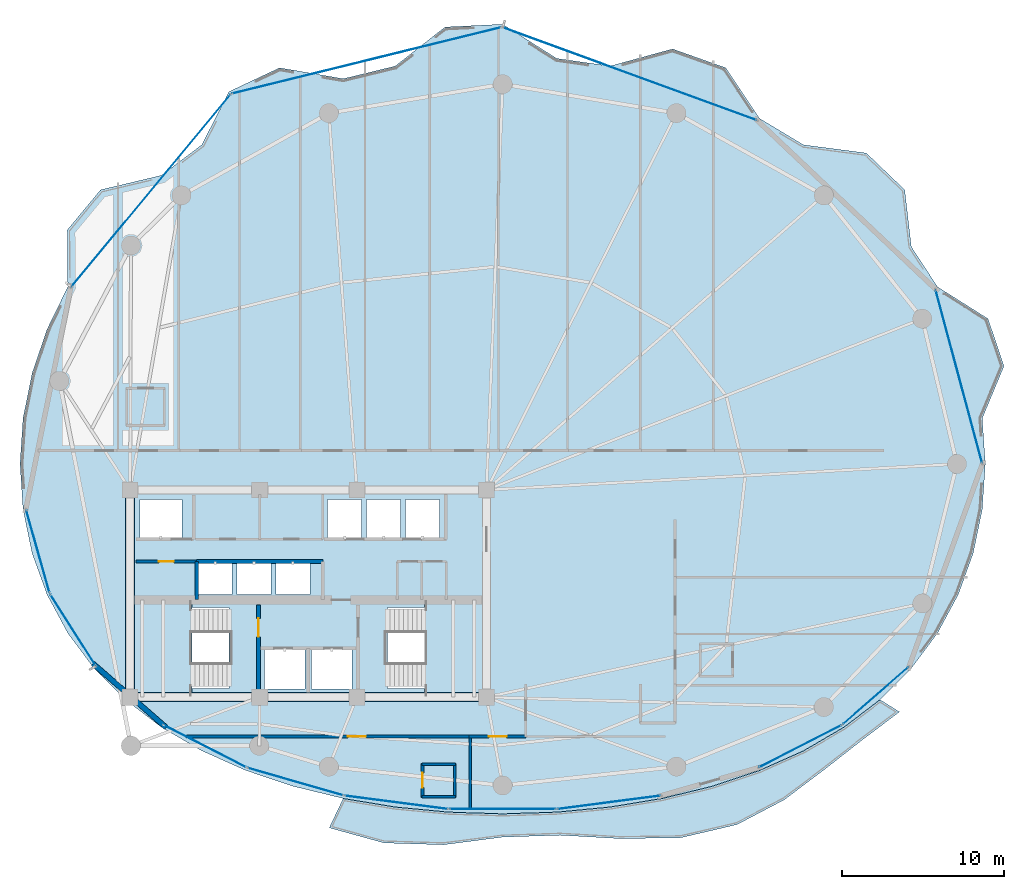
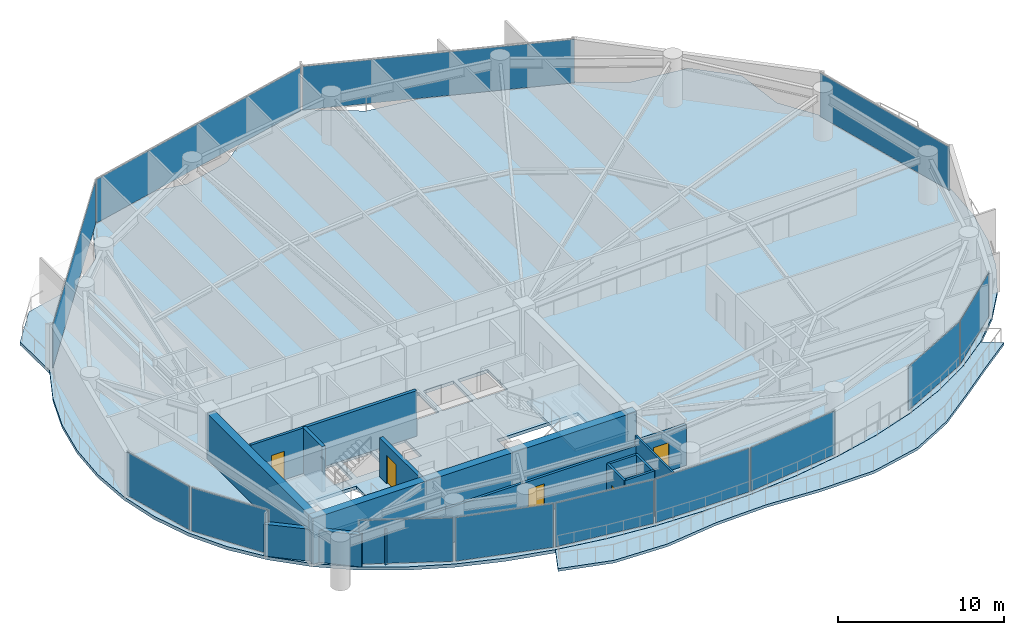
# One storey, part 22 of 28: 14 walls, 13 plates, 5 doors, 4 slabs, 5 openings, 15 elements without a shape of their own.
"""IFC4 building model written with IfcOpenShell, lengths in metres."""

from ifc_helpers import new_model, si_unit, direction, frame, frame_2d, origin, origin_2d, place, context, subcontext, project, spatial, polyline, rectangle, outline, extrude, material, layer, layer_set, type_object, element, fill, aggregate, save


model = new_model("IFC4")

# Units and contexts
model_context = context("Model", 3, precision=1e-05, world=origin(), true_north=direction((0.0, 1.0)))
body_context = subcontext(model_context, "Body", "Model", "MODEL_VIEW")
ifc_project = project(units=[si_unit("LENGTHUNIT", "METRE"), si_unit("AREAUNIT", "SQUARE_METRE"), si_unit("VOLUMEUNIT", "CUBIC_METRE"), si_unit("PLANEANGLEUNIT", "RADIAN"), si_unit("MASSUNIT", "GRAM", prefix="KILO")], contexts=[model_context])

# Site, building, storey
site_placement = place(None, origin())
site = spatial("IfcSite", under=ifc_project, at=site_placement, CompositionType="ELEMENT")
building_placement = place(site_placement, origin())
building = spatial("IfcBuilding", under=site, at=building_placement, Name="Kazevale Care Tower and Concert Hall", CompositionType="ELEMENT")
storey_placement = place(building_placement, frame((0.0, 0.0, 120.60009765625)))
storey = spatial("IfcBuildingStorey", under=building, at=storey_placement, Name="L31", CompositionType="ELEMENT", Elevation=120.60009765625)

# Curtain wall, plate
ifc_material_1 = material(Name="Aluminium 6063-T6 and Low-E Glass", Category="aluminium")
ifc_layer_1 = layer(ifc_material_1, 0.179931640625)
ifc_layer_set_1 = layer_set([ifc_layer_1], Name="Aluminium 6063-T6 and Low-E Glass")
curtain_wall_type_1 = type_object("IfcCurtainWallType", Name="Convex Checkerboard Finned Curtain Wall CW-2", PredefinedType="NOTDEFINED", material=ifc_layer_set_1)
curtain_wall_1_placement = place(storey_placement, origin())
curtain_wall_1 = element("IfcCurtainWall", 1, at=curtain_wall_1_placement, inside=storey, type_object=curtain_wall_type_1, Name="cw:L31:f14", PredefinedType="NOTDEFINED")
ifc_material_2 = material(Name="Low-E Laminated Glass", Category="glass")
ifc_layer_2 = layer(ifc_material_2, 0.028076171875)
ifc_layer_set_2 = layer_set([ifc_layer_2], Name="Low-E Laminated Glass")
plate_type_1 = type_object("IfcPlateType", Name="CW-2 Low-E Glazing Panel 28mm", PredefinedType="CURTAIN_PANEL", material=ifc_layer_set_2)
plate_1_placement = place(storey_placement, frame((23.285888671875, 54.87255859375, 0.074951171875), z_axis=(0.0, 0.0, 1.0), x_axis=(0.637984048061, 0.770049579196, 0.0)))
plate_1 = element("IfcPlate", 2, at=plate_1_placement, type_object=plate_type_1, Name="CW-2 panel 1.1", PredefinedType="CURTAIN_PANEL", context=body_context, shape_type="SweptSolid", body=[
    extrude(rectangle(XDim=15.3701171875, YDim=0.028076171875, at=origin_2d()), origin(), (0.0, 0.0, 1.0), 3.2099609375),
])
aggregate(curtain_wall_1, [plate_1])

curtain_wall_2_placement = place(storey_placement, origin())
curtain_wall_2 = element("IfcCurtainWall", 3, at=curtain_wall_2_placement, inside=storey, type_object=curtain_wall_type_1, Name="cw:L31:f16", PredefinedType="NOTDEFINED")
plate_2_placement = place(storey_placement, frame((52.839599609375, 62.08544921875, 0.074951171875), z_axis=(0.0, 0.0, 1.0), x_axis=(0.939283008641, -0.343143453498, 0.0)))
plate_2 = element("IfcPlate", 4, at=plate_2_placement, type_object=plate_type_1, Name="CW-2 panel 1.1", PredefinedType="CURTAIN_PANEL", context=body_context, shape_type="SweptSolid", body=[
    extrude(rectangle(XDim=16.634765625, YDim=0.028076171875, at=origin_2d()), origin(), (0.0, 0.0, 1.0), 3.2099609375),
])
aggregate(curtain_wall_2, [plate_2])

ifc_layer_3 = layer(ifc_material_1, 0.179931640625)
ifc_layer_set_3 = layer_set([ifc_layer_3], Name="Aluminium 6063-T6 and Low-E Glass")
curtain_wall_type_2 = type_object("IfcCurtainWallType", Name="Convex Recessed Sunroom Curtain Wall CW-3", PredefinedType="NOTDEFINED", material=ifc_layer_set_3)
curtain_wall_3_placement = place(storey_placement, origin())
curtain_wall_3 = element("IfcCurtainWall", 5, at=curtain_wall_3_placement, inside=storey, type_object=curtain_wall_type_2, Name="cw:L31:f15", PredefinedType="NOTDEFINED")
ifc_layer_4 = layer(ifc_material_2, 0.028076171875)
ifc_layer_set_4 = layer_set([ifc_layer_4], Name="Low-E Laminated Glass")
plate_type_2 = type_object("IfcPlateType", Name="CW-3 Low-E Glazing Panel 28mm", PredefinedType="CURTAIN_PANEL", material=ifc_layer_set_4)
plate_3_placement = place(storey_placement, frame((36.595947265625, 62.909423828125, 0.074951171875), z_axis=(0.0, 0.0, 1.0), x_axis=(0.970997657217, 0.239088999495, 0.0)))
plate_3 = element("IfcPlate", 6, at=plate_3_placement, type_object=plate_type_2, Name="CW-3 panel 1.1", PredefinedType="CURTAIN_PANEL", context=body_context, shape_type="SweptSolid", body=[
    extrude(rectangle(XDim=17.061279296875, YDim=0.028076171875, at=origin_2d()), origin(), (0.0, 0.0, 1.0), 3.2099609375),
])
aggregate(curtain_wall_3, [plate_3])

ifc_layer_5 = layer(ifc_material_1, 0.179931640625)
ifc_layer_set_5 = layer_set([ifc_layer_5], Name="Aluminium 6063-T6 and Low-E Glass")
curtain_wall_type_3 = type_object("IfcCurtainWallType", Name="Waist & Upper Residential Curtain Wall CW-4", PredefinedType="NOTDEFINED", material=ifc_layer_set_5)
curtain_wall_4_placement = place(storey_placement, origin())
curtain_wall_4 = element("IfcCurtainWall", 7, at=curtain_wall_4_placement, inside=storey, type_object=curtain_wall_type_3, Name="cw:L31:f11", PredefinedType="NOTDEFINED")
ifc_layer_6 = layer(ifc_material_2, 0.030029296875)
ifc_layer_set_6 = layer_set([ifc_layer_6], Name="Low-E Laminated Glass")
plate_type_3 = type_object("IfcPlateType", Name="CW-4 Low-E Glazing Panel 30mm", PredefinedType="CURTAIN_PANEL", material=ifc_layer_set_6)
plate_4_placement = place(storey_placement, frame((18.470458984375, 27.75244140625, 0.080078125), z_axis=(0.0, 0.0, 1.0), x_axis=(-0.537239193981, 0.843429930967, 0.0)))
plate_4 = element("IfcPlate", 8, at=plate_4_placement, type_object=plate_type_3, Name="CW-4 panel 1.1", PredefinedType="CURTAIN_PANEL", context=body_context, shape_type="SweptSolid", body=[
    extrude(rectangle(XDim=5.176513671875, YDim=0.030029296875, at=origin_2d()), origin(), (0.0, 0.0, 1.0), 3.199951171875),
])
aggregate(curtain_wall_4, [plate_4])

curtain_wall_5_placement = place(storey_placement, origin())
curtain_wall_5 = element("IfcCurtainWall", 9, at=curtain_wall_5_placement, inside=storey, type_object=curtain_wall_type_3, Name="cw:L31:f12", PredefinedType="NOTDEFINED")
plate_5_placement = place(storey_placement, frame((16.301513671875, 32.612548828125, 0.080078125), z_axis=(0.0, 0.0, 1.0), x_axis=(-0.271284948278, 0.962499078876, 0.0)))
plate_5 = element("IfcPlate", 10, at=plate_5_placement, type_object=plate_type_3, Name="CW-4 panel 1.1", PredefinedType="CURTAIN_PANEL", context=body_context, shape_type="SweptSolid", body=[
    extrude(rectangle(XDim=5.262451171875, YDim=0.030029296875, at=origin_2d()), origin(), (0.0, 0.0, 1.0), 3.199951171875),
])
aggregate(curtain_wall_5, [plate_5])

curtain_wall_6_placement = place(storey_placement, origin())
curtain_wall_6 = element("IfcCurtainWall", 11, at=curtain_wall_6_placement, inside=storey, type_object=curtain_wall_type_3, Name="cw:L31:f18", PredefinedType="NOTDEFINED")
plate_6_placement = place(storey_placement, frame((73.169921875, 43.401611328125, 0.080078125), z_axis=(0.0, 0.0, 1.0), x_axis=(0.259264848961, -0.965806263229, 0.0)))
plate_6 = element("IfcPlate", 12, at=plate_6_placement, type_object=plate_type_3, Name="CW-4 panel 1.1", PredefinedType="CURTAIN_PANEL", context=body_context, shape_type="SweptSolid", body=[
    extrude(rectangle(XDim=11.025390625, YDim=0.030029296875, at=origin_2d()), origin(), (0.0, 0.0, 1.0), 3.199951171875),
])
aggregate(curtain_wall_6, [plate_6])

ifc_layer_7 = layer(ifc_material_1, 0.179931640625)
ifc_layer_set_7 = layer_set([ifc_layer_7], Name="Aluminium 6063-T6 and Low-E Glass")
curtain_wall_type_4 = type_object("IfcCurtainWallType", Name="Sheltered Concave Balcony Curtain Wall CW-5", PredefinedType="NOTDEFINED", material=ifc_layer_set_7)
curtain_wall_7_placement = place(storey_placement, origin())
curtain_wall_7 = element("IfcCurtainWall", 13, at=curtain_wall_7_placement, inside=storey, type_object=curtain_wall_type_4, Name="cw:L31:f02", PredefinedType="NOTDEFINED")
ifc_layer_8 = layer(ifc_material_2, 0.02587890625)
ifc_layer_set_8 = layer_set([ifc_layer_8], Name="Low-E Laminated Glass")
plate_type_4 = type_object("IfcPlateType", Name="CW-5 Low-E Glazing Panel 26mm", PredefinedType="CURTAIN_PANEL", material=ifc_layer_set_8)
plate_7_placement = place(storey_placement, frame((68.033447265625, 23.699951171875, 0.074951171875), z_axis=(0.0, 0.0, 1.0), x_axis=(-0.753062779437, -0.657948668382, 0.0)))
plate_7 = element("IfcPlate", 14, at=plate_7_placement, type_object=plate_type_4, Name="CW-5 panel 1.1", PredefinedType="CURTAIN_PANEL", context=body_context, shape_type="SweptSolid", body=[
    extrude(rectangle(XDim=5.32763671875, YDim=0.02587890625, at=origin_2d()), origin(), (0.0, 0.0, 1.0), 3.2099609375),
])
aggregate(curtain_wall_7, [plate_7])

curtain_wall_8_placement = place(storey_placement, origin())
curtain_wall_8 = element("IfcCurtainWall", 15, at=curtain_wall_8_placement, inside=storey, type_object=curtain_wall_type_4, Name="cw:L31:f03", PredefinedType="NOTDEFINED")
plate_8_placement = place(storey_placement, frame((63.3798828125, 20.571533203125, 0.074951171875), z_axis=(0.0, 0.0, 1.0), x_axis=(-0.890126646051, -0.455713236575, 0.0)))
plate_8 = element("IfcPlate", 16, at=plate_8_placement, type_object=plate_type_4, Name="CW-5 panel 1.1", PredefinedType="CURTAIN_PANEL", context=body_context, shape_type="SweptSolid", body=[
    extrude(rectangle(XDim=5.671630859375, YDim=0.02587890625, at=origin_2d()), origin(), (0.0, 0.0, 1.0), 3.2099609375),
])
aggregate(curtain_wall_8, [plate_8])

curtain_wall_9_placement = place(storey_placement, origin())
curtain_wall_9 = element("IfcCurtainWall", 17, at=curtain_wall_9_placement, inside=storey, type_object=curtain_wall_type_4, Name="cw:L31:f05", PredefinedType="NOTDEFINED")
plate_9_placement = place(storey_placement, frame((51.5654296875, 17.1044921875, 0.074951171875), z_axis=(0.0, 0.0, 1.0), x_axis=(-0.991685519364, -0.12868500567, 0.0)))
plate_9 = element("IfcPlate", 18, at=plate_9_placement, type_object=plate_type_4, Name="CW-5 panel 1.1", PredefinedType="CURTAIN_PANEL", context=body_context, shape_type="SweptSolid", body=[
    extrude(rectangle(XDim=6.38525390625, YDim=0.02587890625, at=origin_2d()), origin(), (0.0, 0.0, 1.0), 3.2099609375),
])
aggregate(curtain_wall_9, [plate_9])

curtain_wall_10_placement = place(storey_placement, origin())
curtain_wall_10 = element("IfcCurtainWall", 19, at=curtain_wall_10_placement, inside=storey, type_object=curtain_wall_type_4, Name="cw:L31:f06", PredefinedType="NOTDEFINED")
plate_10_placement = place(storey_placement, frame((45.0, 16.68408203125, 0.074951171875), z_axis=(0.0, 0.0, 1.0), x_axis=(-1.0, 0.0, 0.0)))
plate_10 = element("IfcPlate", 20, at=plate_10_placement, type_object=plate_type_4, Name="CW-5 panel 1.1", PredefinedType="CURTAIN_PANEL", context=body_context, shape_type="SweptSolid", body=[
    extrude(rectangle(XDim=6.5, YDim=0.02587890625, at=origin_2d()), origin(), (0.0, 0.0, 1.0), 3.2099609375),
])
aggregate(curtain_wall_10, [plate_10])

curtain_wall_11_placement = place(storey_placement, origin())
curtain_wall_11 = element("IfcCurtainWall", 21, at=curtain_wall_11_placement, inside=storey, type_object=curtain_wall_type_4, Name="cw:L31:f07", PredefinedType="NOTDEFINED")
plate_11_placement = place(storey_placement, frame((38.4345703125, 17.1044921875, 0.074951171875), z_axis=(0.0, 0.0, 1.0), x_axis=(-0.991685519364, 0.12868500567, 0.0)))
plate_11 = element("IfcPlate", 22, at=plate_11_placement, type_object=plate_type_4, Name="CW-5 panel 1.1", PredefinedType="CURTAIN_PANEL", context=body_context, shape_type="SweptSolid", body=[
    extrude(rectangle(XDim=6.38525390625, YDim=0.02587890625, at=origin_2d()), origin(), (0.0, 0.0, 1.0), 3.2099609375),
])
aggregate(curtain_wall_11, [plate_11])

curtain_wall_12_placement = place(storey_placement, origin())
curtain_wall_12 = element("IfcCurtainWall", 23, at=curtain_wall_12_placement, inside=storey, type_object=curtain_wall_type_4, Name="cw:L31:f08", PredefinedType="NOTDEFINED")
plate_12_placement = place(storey_placement, frame((32.202392578125, 18.385009765625, 0.074951171875), z_axis=(0.0, 0.0, 1.0), x_axis=(-0.961074102639, 0.276290733172, 0.0)))
plate_12 = element("IfcPlate", 24, at=plate_12_placement, type_object=plate_type_4, Name="CW-5 panel 1.1", PredefinedType="CURTAIN_PANEL", context=body_context, shape_type="SweptSolid", body=[
    extrude(rectangle(XDim=6.075439453125, YDim=0.02587890625, at=origin_2d()), origin(), (0.0, 0.0, 1.0), 3.2099609375),
])
aggregate(curtain_wall_12, [plate_12])

curtain_wall_13_placement = place(storey_placement, origin())
curtain_wall_13 = element("IfcCurtainWall", 25, at=curtain_wall_13_placement, inside=storey, type_object=curtain_wall_type_4, Name="cw:L31:f09", PredefinedType="NOTDEFINED")
plate_13_placement = place(storey_placement, frame((26.6201171875, 20.571533203125, 0.074951171875), z_axis=(0.0, 0.0, 1.0), x_axis=(-0.890126646051, 0.455713236575, 0.0)))
plate_13 = element("IfcPlate", 26, at=plate_13_placement, type_object=plate_type_4, Name="CW-5 panel 1.1", PredefinedType="CURTAIN_PANEL", context=body_context, shape_type="SweptSolid", body=[
    extrude(rectangle(XDim=5.671630859375, YDim=0.02587890625, at=origin_2d()), origin(), (0.0, 0.0, 1.0), 3.2099609375),
])
aggregate(curtain_wall_13, [plate_13])

# Slab
ifc_material_3 = material(Name="Concrete C40", Category="concrete")
ifc_layer_9 = layer(ifc_material_3, 0.199951171875)
ifc_layer_set_9 = layer_set([ifc_layer_9], Name="Concrete C40")
slab_type_1 = type_object("IfcSlabType", Name="Sinusoidal Concave Balcony Slab 200", PredefinedType="USERDEFINED", material=ifc_layer_set_9)
slab_1_placement = place(storey_placement, frame((0.0, 0.0, -0.2001953125)))
element("IfcSlab", 27, at=slab_1_placement, inside=storey, type_object=slab_type_1, Name="slab:L31:bal", ObjectType="BALCONY", PredefinedType="USERDEFINED", context=body_context, shape_type="SweptSolid", body=[
    extrude(outline(polyline([(69.502685546875, 22.6943359375), (67.14794921875, 20.917724609375), (64.82861328125, 19.10205078125), (62.377197265625, 17.26025390625), (59.466552734375, 15.73291015625), (55.998291015625, 14.922607421875), (52.24169921875, 14.868408203125), (48.55810546875, 15.07763671875), (45.0, 14.960693359375), (41.3505859375, 14.48779296875), (37.6748046875, 14.601806640625), (34.293701171875, 15.53515625), (35.155517578125, 17.343505859375), (35.15673828125, 17.34326171875), (38.368408203125, 16.81396484375), (41.6630859375, 16.49951171875), (45.0, 16.39501953125), (48.3369140625, 16.49951171875), (51.631591796875, 16.81396484375), (54.84326171875, 17.34326171875), (57.93115234375, 18.09375), (60.8564453125, 19.07275390625), (63.582275390625, 20.28759765625), (66.07470703125, 21.74365234375), (68.302001953125, 23.442626953125), (68.302978515625, 23.44384765625), (69.502685546875, 22.6943359375)])), origin(), (0.0, 0.0, 1.0), 0.2001953125),
])

# Stair, slab
stair_type = type_object("IfcStairType", Name="Exit Stair Assembly ST1-Z2", PredefinedType="HALF_TURN_STAIR", material=ifc_material_3)
stair_1_placement = place(storey_placement, origin())
stair_1 = element("IfcStair", 28, at=stair_1_placement, inside=storey, type_object=stair_type, Name="stair:L31:ST1", PredefinedType="HALF_TURN_STAIR")
ifc_layer_10 = layer(ifc_material_3, 0.199951171875)
ifc_layer_set_10 = layer_set([ifc_layer_10], Name="Concrete C40")
slab_type_2 = type_object("IfcSlabType", Name="Stair Half-Landing Slab ST1-Z2", PredefinedType="LANDING", material=ifc_layer_set_10)
slab_2_placement = place(storey_placement, frame((0.0, 0.0, 1.599853515625)))
slab_2 = element("IfcSlab", 29, at=slab_2_placement, type_object=slab_type_2, Name="ST1-Z2 landing 1", PredefinedType="LANDING", context=body_context, shape_type="SweptSolid", body=[
    extrude(outline(polyline([(22.050048828125, 23.699951171875), (25.81005859375, 23.699951171875), (25.81005859375, 29.5), (22.050048828125, 29.5), (22.050048828125, 23.699951171875)])), origin(), (0.0, 0.0, 1.0), 0.199951171875),
])
aggregate(stair_1, [slab_2])

stair_2_placement = place(storey_placement, origin())
stair_2 = element("IfcStair", 30, at=stair_2_placement, inside=storey, type_object=stair_type, Name="stair:L31:ST2", PredefinedType="HALF_TURN_STAIR")
slab_3_placement = place(storey_placement, frame((0.0, 0.0, 1.599853515625)))
slab_3 = element("IfcSlab", 31, at=slab_3_placement, type_object=slab_type_2, Name="ST1-Z2 landing 1", PredefinedType="LANDING", context=body_context, shape_type="SweptSolid", body=[
    extrude(outline(polyline([(40.18994140625, 23.699951171875), (43.949951171875, 23.699951171875), (43.949951171875, 29.5), (40.18994140625, 29.5), (40.18994140625, 23.699951171875)])), origin(), (0.0, 0.0, 1.0), 0.199951171875),
])
aggregate(stair_2, [slab_3])

# Slab
ifc_layer_11 = layer(ifc_material_3, 0.239990234375)
ifc_layer_set_11 = layer_set([ifc_layer_11], Name="Concrete C40")
slab_type_3 = type_object("IfcSlabType", Name="Tower Typical Floor Slab 240", PredefinedType="FLOOR", material=ifc_layer_set_11)
slab_4_placement = place(storey_placement, frame((0.0, 0.0, -0.239990234375)))
element("IfcSlab", 32, at=slab_4_placement, inside=storey, type_object=slab_type_3, Name="slab:L31:tw:1", PredefinedType="FLOOR", context=body_context, shape_type="SweptSolid", body=[
    extrude(outline(polyline([(74.800048828125, 38.0), (74.612548828125, 40.821533203125), (75.9541015625, 44.04150390625), (74.96826171875, 46.967041015625), (71.848876953125, 48.933837890625), (70.232421875, 51.4072265625), (69.822998046875, 54.927734375), (67.45068359375, 57.197998046875), (63.580078125, 57.7021484375), (60.8544921875, 59.33740234375), (58.77587890625, 62.461181640625), (55.486328125, 63.62646484375), (51.631103515625, 62.568115234375), (48.33642578125, 63.04150390625), (45.0, 65.14990234375), (41.445068359375, 64.979248046875), (38.368896484375, 62.568115234375), (35.15771484375, 61.785888671875), (31.22412109375, 62.461181640625), (28.10791015625, 60.988525390625), (26.419921875, 57.7021484375), (23.92822265625, 55.819091796875), (20.177001953125, 54.927734375), (18.116455078125, 52.444580078125), (18.151123046875, 48.933837890625), (16.872314453125, 46.322998046875), (15.947021484375, 43.607421875), (15.387451171875, 40.821533203125), (15.199951171875, 38.0), (15.387451171875, 35.197265625), (15.947021484375, 32.490234375), (16.872314453125, 29.92919921875), (18.151123046875, 27.551513671875), (19.767578125, 25.384521484375), (21.701416015625, 23.446533203125), (23.92822265625, 21.747802734375), (26.419921875, 20.2919921875), (29.1455078125, 19.077392578125), (32.0703125, 18.098388671875), (35.15771484375, 17.34814453125), (38.368896484375, 16.819091796875), (41.66357421875, 16.50439453125), (45.0, 16.39990234375), (48.33642578125, 16.50439453125), (51.631103515625, 16.819091796875), (54.84228515625, 17.34814453125), (57.9296875, 18.098388671875), (60.8544921875, 19.077392578125), (63.580078125, 20.2919921875), (66.07177734375, 21.747802734375), (68.298583984375, 23.446533203125), (70.232421875, 25.384521484375), (71.848876953125, 27.551513671875), (73.127685546875, 29.92919921875), (74.052978515625, 32.490234375), (74.612548828125, 35.197265625), (74.800048828125, 38.0)]), holes=[polyline([(22.449951171875, 24.14990234375), (28.110107421875, 24.14990234375), (28.110107421875, 29.14990234375), (22.449951171875, 29.14990234375), (22.449951171875, 24.14990234375)]), polyline([(37.889892578125, 24.14990234375), (43.550048828125, 24.14990234375), (43.550048828125, 29.14990234375), (37.889892578125, 29.14990234375), (37.889892578125, 24.14990234375)]), polyline([(30.300048828125, 24.10009765625), (32.800048828125, 24.10009765625), (32.800048828125, 26.60009765625), (30.300048828125, 26.60009765625), (30.300048828125, 24.10009765625)]), polyline([(33.199951171875, 24.10009765625), (35.699951171875, 24.10009765625), (35.699951171875, 26.60009765625), (33.199951171875, 26.60009765625), (33.199951171875, 24.10009765625)]), polyline([(22.60009765625, 33.39990234375), (25.199951171875, 33.39990234375), (25.199951171875, 35.800048828125), (22.60009765625, 35.800048828125), (22.60009765625, 33.39990234375)]), polyline([(34.199951171875, 33.39990234375), (36.300048828125, 33.39990234375), (36.300048828125, 35.800048828125), (34.199951171875, 35.800048828125), (34.199951171875, 33.39990234375)]), polyline([(36.60009765625, 33.39990234375), (38.699951171875, 33.39990234375), (38.699951171875, 35.800048828125), (36.60009765625, 35.800048828125), (36.60009765625, 33.39990234375)]), polyline([(39.0, 33.39990234375), (41.10009765625, 33.39990234375), (41.10009765625, 35.800048828125), (39.0, 35.800048828125), (39.0, 33.39990234375)]), polyline([(26.199951171875, 29.949951171875), (28.300048828125, 29.949951171875), (28.300048828125, 31.949951171875), (26.199951171875, 31.949951171875), (26.199951171875, 29.949951171875)]), polyline([(28.60009765625, 29.949951171875), (30.699951171875, 29.949951171875), (30.699951171875, 31.949951171875), (28.60009765625, 31.949951171875), (28.60009765625, 29.949951171875)]), polyline([(31.0, 29.949951171875), (33.10009765625, 29.949951171875), (33.10009765625, 31.949951171875), (31.0, 31.949951171875), (31.0, 29.949951171875)])]), origin(), (0.0, 0.0, 1.0), 0.239990234375),
])

# Walls
ifc_material_4 = material(Name="Acoustic Gypsum on Steel Stud", Category="steel")
ifc_layer_12 = layer(ifc_material_4, 0.139892578125)
ifc_layer_set_12 = layer_set([ifc_layer_12], Name="Acoustic Gypsum on Steel Stud")
wall_type_1 = type_object("IfcWallType", Name="Acoustic Care & Suite Partition 140", PredefinedType="PARTITIONING", material=ifc_layer_set_12)
wall_1_placement = place(storey_placement, frame((43.0, 21.205078125, 0.0), z_axis=(0.0, 0.0, 1.0), x_axis=(0.0, -1.0, 0.0)))
element("IfcWall", 33, at=wall_1_placement, inside=storey, type_object=wall_type_1, Name="wall:L31:auto_035", PredefinedType="PARTITIONING", context=body_context, shape_type="SweptSolid", body=[
    extrude(rectangle(XDim=4.510986328125, YDim=0.139892578125, at=frame_2d((2.25537109375, 0.0))), origin(), (0.0, 0.0, 1.0), 3.35986328125),
])
ifc_material_5 = material(Name="Concrete C60", Category="concrete")
ifc_layer_13 = layer(ifc_material_5, 0.550048828125)
ifc_layer_set_13 = layer_set([ifc_layer_13], Name="Concrete C60")
wall_type_2 = type_object("IfcWallType", Name="Core Shear Wall 550 C60", PredefinedType="SHEAR", material=ifc_layer_set_13)
wall_2_placement = place(storey_placement, frame((21.72509765625, 23.60009765625, 0.0), z_axis=(0.0, 0.0, 1.0), x_axis=(1.0, 0.0, 0.0)))
element("IfcWall", 34, at=wall_2_placement, inside=storey, type_object=wall_type_2, Name="wall:L31:core:S", PredefinedType="SHEAR", context=body_context, shape_type="SweptSolid", body=[
    extrude(rectangle(XDim=22.5498046875, YDim=0.550048828125, at=frame_2d((11.27490234375, 0.0))), origin(), (0.0, 0.0, 1.0), 3.35986328125),
])
wall_3_placement = place(storey_placement, frame((22.0, 23.875, 0.0), z_axis=(0.0, 0.0, 1.0), x_axis=(0.0, 1.0, 0.0)))
element("IfcWall", 35, at=wall_3_placement, inside=storey, type_object=wall_type_2, Name="wall:L31:core:W", PredefinedType="SHEAR", context=body_context, shape_type="SweptSolid", body=[
    extrude(rectangle(XDim=12.25, YDim=0.550048828125, at=frame_2d((6.125, 0.0))), origin(), (0.0, 0.0, 1.0), 3.35986328125),
])
ifc_layer_14 = layer(ifc_material_3, 0.219970703125)
ifc_layer_set_14 = layer_set([ifc_layer_14], Name="Concrete C40")
wall_type_3 = type_object("IfcWallType", Name="Elevator Hoistway Shaft Wall 220", PredefinedType="SOLIDWALL", material=ifc_layer_set_14)
wall_4_placement = place(storey_placement, frame((26.10009765625, 29.6201171875, 0.0), z_axis=(0.0, 0.0, 1.0), x_axis=(0.0, 1.0, 0.0)))
element("IfcWall", 36, at=wall_4_placement, inside=storey, type_object=wall_type_3, Name="wall:L31:c_ph_w", PredefinedType="SOLIDWALL", context=body_context, shape_type="SweptSolid", body=[
    extrude(rectangle(XDim=2.35986328125, YDim=0.219970703125, at=frame_2d((1.179931640625, 0.0))), origin(), (0.0, 0.0, 1.0), 3.35986328125),
])
wall_5_placement = place(storey_placement, frame((26.10009765625, 31.97998046875, 0.0), z_axis=(0.0, 0.0, 1.0), x_axis=(1.0, 0.0, 0.0)))
element("IfcWall", 37, at=wall_5_placement, inside=storey, type_object=wall_type_3, Name="wall:L31:c_ph_n", PredefinedType="SOLIDWALL", context=body_context, shape_type="SweptSolid", body=[
    extrude(rectangle(XDim=7.7998046875, YDim=0.219970703125, at=frame_2d((3.89990234375, 0.0))), origin(), (0.0, 0.0, 1.0), 3.35986328125),
])

# Wall, opening, door
ifc_material_6 = material(Name="Concrete C40 and Acoustic Gypsum", Category="concrete")
ifc_layer_15 = layer(ifc_material_6, 0.179931640625)
ifc_layer_set_15 = layer_set([ifc_layer_15], Name="Concrete C40 and Acoustic Gypsum")
wall_type_4 = type_object("IfcWallType", Name="Fire-Rated Corridor & Party Wall 180", PredefinedType="PARTITIONING", material=ifc_layer_set_15)
wall_6_placement = place(storey_placement, frame((22.35009765625, 31.97998046875, 0.0), z_axis=(0.0, 0.0, 1.0), x_axis=(1.0, 0.0, 0.0)))
wall_6 = element("IfcWall", 38, at=wall_6_placement, inside=storey, type_object=wall_type_4, Name="wall:L31:ka_wn1", PredefinedType="PARTITIONING", context=body_context, shape_type="SweptSolid", body=[
    extrude(rectangle(XDim=3.75, YDim=0.179931640625, at=frame_2d((1.875, 0.0))), origin(), (0.0, 0.0, 1.0), 3.35986328125),
])
opening_1_placement = place(wall_6_placement, frame((1.425048828125, 0.0, 0.0)))
opening_1 = element("IfcOpeningElement", 39, at=opening_1_placement, cuts=wall_6, Name="Opening ID-900", PredefinedType="OPENING", context=body_context, shape_type="SweptSolid", body=[
    extrude(rectangle(XDim=0.919921875, YDim=2.10009765625, at=frame_2d((0.4599609375, 1.050048828125))), frame((0.0, 0.099853515625, 0.0), z_axis=(0.0, -1.0, 0.0), x_axis=(1.0, 0.0, 0.0)), (0.0, 0.0, 1.0), 0.199951171875),
])
ifc_material_7 = material(Name="Oak Timber Fire Leaf", Category="wood")
door_type_1 = type_object("IfcDoorType", Name="Bathroom & Service Door 920x2100", OperationType="NOTDEFINED", PredefinedType="DOOR", material=ifc_material_7)
door_1_placement = place(opening_1_placement, origin())
door_1 = element("IfcDoor", 40, at=door_1_placement, inside=storey, type_object=door_type_1, Name="door:L31:d_kaw", OperationType="SINGLE_SWING_LEFT", OverallHeight=2.10009765625, OverallWidth=0.919921875, PredefinedType="DOOR", context=body_context, shape_type="SweptSolid", body=[
    extrude(rectangle(XDim=0.919921875, YDim=2.10009765625, at=frame_2d((0.4599609375, 1.050048828125))), frame((0.0, 0.02490234375, 0.0), z_axis=(0.0, -1.0, 0.0), x_axis=(1.0, 0.0, 0.0)), (0.0, 0.0, 1.0), 0.050048828125),
])
fill(opening_1, door_1)

wall_7_placement = place(storey_placement, frame((43.06494140625, 21.175048828125, 0.0), z_axis=(0.0, 0.0, 1.0), x_axis=(-1.0, 0.0, 0.0)))
wall_7 = element("IfcWall", 41, at=wall_7_placement, inside=storey, type_object=wall_type_4, Name="wall:L31:auto_019", PredefinedType="PARTITIONING", context=body_context, shape_type="SweptSolid", body=[
    extrude(rectangle(XDim=17.61376953125, YDim=0.179931640625, at=frame_2d((8.806884765625, 0.0))), origin(), (0.0, 0.0, 1.0), 2.656982421875),
])
opening_2_placement = place(wall_7_placement, frame((6.514892578125, 0.0, 0.0)))
opening_2 = element("IfcOpeningElement", 42, at=opening_2_placement, cuts=wall_7, Name="Opening ID-1100", PredefinedType="OPENING", context=body_context, shape_type="SweptSolid", body=[
    extrude(rectangle(XDim=1.10009765625, YDim=2.10009765625, at=frame_2d((0.550048828125, 1.050048828125))), frame((0.0, 0.099853515625, 0.0), z_axis=(0.0, -1.0, 0.0), x_axis=(1.0, 0.0, 0.0)), (0.0, 0.0, 1.0), 0.199951171875),
])
door_type_2 = type_object("IfcDoorType", Name="Care Bedroom Accessible Door 1100x2100", OperationType="NOTDEFINED", PredefinedType="DOOR", material=ifc_material_7)
door_2_placement = place(opening_2_placement, origin())
door_2 = element("IfcDoor", 43, at=door_2_placement, inside=storey, type_object=door_type_2, Name="door:L31:ad_019", OperationType="SINGLE_SWING_LEFT", OverallHeight=2.10009765625, OverallWidth=1.10009765625, PredefinedType="DOOR", context=body_context, shape_type="SweptSolid", body=[
    extrude(rectangle(XDim=1.10009765625, YDim=2.10009765625, at=frame_2d((0.550048828125, 1.050048828125))), frame((0.0, 0.02490234375, 0.0), z_axis=(0.0, -1.0, 0.0), x_axis=(1.0, 0.0, 0.0)), (0.0, 0.0, 1.0), 0.050048828125),
])
fill(opening_2, door_2)

wall_8_placement = place(storey_placement, frame((46.455078125, 21.175048828125, 0.0), z_axis=(0.0, 0.0, 1.0), x_axis=(-1.0, 0.0, 0.0)))
wall_8 = element("IfcWall", 44, at=wall_8_placement, inside=storey, type_object=wall_type_4, Name="wall:L31:auto_020", PredefinedType="PARTITIONING", context=body_context, shape_type="SweptSolid", body=[
    extrude(rectangle(XDim=3.52001953125, YDim=0.179931640625, at=frame_2d((1.760009765625, 0.0))), origin(), (0.0, 0.0, 1.0), 2.995849609375),
])
opening_3_placement = place(wall_8_placement, frame((1.2099609375, 0.0, 0.0)))
opening_3 = element("IfcOpeningElement", 45, at=opening_3_placement, cuts=wall_8, Name="Opening ID-1100", PredefinedType="OPENING", context=body_context, shape_type="SweptSolid", body=[
    extrude(rectangle(XDim=1.10009765625, YDim=2.10009765625, at=frame_2d((0.550048828125, 1.050048828125))), frame((0.0, 0.099853515625, 0.0), z_axis=(0.0, -1.0, 0.0), x_axis=(1.0, 0.0, 0.0)), (0.0, 0.0, 1.0), 0.199951171875),
])
door_3_placement = place(opening_3_placement, origin())
door_3 = element("IfcDoor", 46, at=door_3_placement, inside=storey, type_object=door_type_2, Name="door:L31:ad_020", OperationType="SINGLE_SWING_LEFT", OverallHeight=2.10009765625, OverallWidth=1.10009765625, PredefinedType="DOOR", context=body_context, shape_type="SweptSolid", body=[
    extrude(rectangle(XDim=1.10009765625, YDim=2.10009765625, at=frame_2d((0.550048828125, 1.050048828125))), frame((0.0, 0.02490234375, 0.0), z_axis=(0.0, -1.0, 0.0), x_axis=(1.0, 0.0, 0.0)), (0.0, 0.0, 1.0), 0.050048828125),
])
fill(opening_3, door_3)

# Walls
ifc_layer_16 = layer(ifc_material_4, 0.159912109375)
ifc_layer_set_16 = layer_set([ifc_layer_16], Name="Acoustic Gypsum on Steel Stud")
wall_type_5 = type_object("IfcWallType", Name="Moisture-Resistant Bathroom Plumbing Wall 160", PredefinedType="PLUMBINGWALL", material=ifc_layer_set_16)
for number, where, z_axis, x_axis, name in (
    (47, (40.010009765625, 17.4599609375, 0.0), (0.0, 0.0, 1.0), (1.0, 0.0, 0.0), "wall:L31:sb2_ens_ws"),
    (48, (40.010009765625, 19.4599609375, 0.0), (0.0, 0.0, 1.0), (1.0, 0.0, 0.0), "wall:L31:sb2_ens_wn"),
):
    element("IfcWall", number, at=place(storey_placement, frame(where, z_axis=z_axis, x_axis=x_axis)), inside=storey, type_object=wall_type_5, Name=name, PredefinedType="PLUMBINGWALL", context=body_context, shape_type="SweptSolid", body=[
        extrude(rectangle(XDim=2.080078125, YDim=0.159912109375, at=frame_2d((1.0400390625, 0.0))), origin(), (0.0, 0.0, 1.0), 3.35986328125),
    ])

# Wall, opening, door
wall_9_placement = place(storey_placement, frame((40.050048828125, 17.419921875, 0.0), z_axis=(0.0, 0.0, 1.0), x_axis=(0.0, 1.0, 0.0)))
wall_9 = element("IfcWall", 49, at=wall_9_placement, inside=storey, type_object=wall_type_5, Name="wall:L31:sb2_ens_ww", PredefinedType="PLUMBINGWALL", context=body_context, shape_type="SweptSolid", body=[
    extrude(rectangle(XDim=2.080078125, YDim=0.159912109375, at=frame_2d((1.0400390625, 0.0))), origin(), (0.0, 0.0, 1.0), 3.35986328125),
])
opening_4_placement = place(wall_9_placement, frame((0.590087890625, 0.0, 0.0)))
opening_4 = element("IfcOpeningElement", 50, at=opening_4_placement, cuts=wall_9, Name="Opening ID-900", PredefinedType="OPENING", context=body_context, shape_type="SweptSolid", body=[
    extrude(rectangle(XDim=0.919921875, YDim=2.10009765625, at=frame_2d((0.4599609375, 1.050048828125))), frame((0.0, 0.08984375, 0.0), z_axis=(0.0, -1.0, 0.0), x_axis=(1.0, 0.0, 0.0)), (0.0, 0.0, 1.0), 0.179931640625),
])
door_4_placement = place(opening_4_placement, origin())
door_4 = element("IfcDoor", 51, at=door_4_placement, inside=storey, type_object=door_type_1, Name="door:L31:sb2_ens_d", OperationType="SINGLE_SWING_LEFT", OverallHeight=2.10009765625, OverallWidth=0.919921875, PredefinedType="DOOR", context=body_context, shape_type="SweptSolid", body=[
    extrude(rectangle(XDim=0.919921875, YDim=2.10009765625, at=frame_2d((0.4599609375, 1.050048828125))), frame((0.0, 0.02490234375, 0.0), z_axis=(0.0, -1.0, 0.0), x_axis=(1.0, 0.0, 0.0)), (0.0, 0.0, 1.0), 0.050048828125),
])
fill(opening_4, door_4)

# Wall
wall_10_placement = place(storey_placement, frame((42.050048828125, 17.419921875, 0.0), z_axis=(0.0, 0.0, 1.0), x_axis=(0.0, 1.0, 0.0)))
element("IfcWall", 52, at=wall_10_placement, inside=storey, type_object=wall_type_5, Name="wall:L31:sb2_ens_we", PredefinedType="PLUMBINGWALL", context=body_context, shape_type="SweptSolid", body=[
    extrude(rectangle(XDim=2.080078125, YDim=0.159912109375, at=frame_2d((1.0400390625, 0.0))), origin(), (0.0, 0.0, 1.0), 3.35986328125),
])

# Wall, opening, door
ifc_layer_17 = layer(ifc_material_3, 0.25)
ifc_layer_set_17 = layer_set([ifc_layer_17], Name="Concrete C40")
wall_type_6 = type_object("IfcWallType", Name="Pressurized Stair Shaft Wall 250", PredefinedType="SOLIDWALL", material=ifc_layer_set_17)
wall_11_placement = place(storey_placement, frame((29.919921875, 23.89990234375, 0.0), z_axis=(0.0, 0.0, 1.0), x_axis=(0.0, 1.0, 0.0)))
wall_11 = element("IfcWall", 53, at=wall_11_placement, inside=storey, type_object=wall_type_6, Name="wall:L31:c_st1_e", PredefinedType="SOLIDWALL", context=body_context, shape_type="SweptSolid", body=[
    extrude(rectangle(XDim=5.400146484375, YDim=0.25, at=frame_2d((2.7001953125, 0.0))), origin(), (0.0, 0.0, 1.0), 2.889892578125),
])
opening_5_placement = place(wall_11_placement, frame((3.4208984375, 0.0, 0.0)))
opening_5 = element("IfcOpeningElement", 54, at=opening_5_placement, cuts=wall_11, Name="Opening FD-90", PredefinedType="OPENING", context=body_context, shape_type="SweptSolid", body=[
    extrude(rectangle(XDim=1.14990234375, YDim=2.10009765625, at=frame_2d((0.574951171875, 1.050048828125))), frame((0.0, 0.135009765625, 0.0), z_axis=(0.0, -1.0, 0.0), x_axis=(1.0, 0.0, 0.0)), (0.0, 0.0, 1.0), 0.27001953125),
])
ifc_material_8 = material(Name="Steel ASTM A572 Gr 50", Category="steel")
door_type_3 = type_object("IfcDoorType", Name="Pressurized Stair & Lobby Fire Door 1150x2100", OperationType="NOTDEFINED", PredefinedType="DOOR", material=ifc_material_8)
door_5_placement = place(opening_5_placement, origin())
door_5 = element("IfcDoor", 55, at=door_5_placement, inside=storey, type_object=door_type_3, Name="door:L31:st1", OperationType="SINGLE_SWING_RIGHT", OverallHeight=2.10009765625, OverallWidth=1.14990234375, PredefinedType="DOOR", context=body_context, shape_type="SweptSolid", body=[
    extrude(rectangle(XDim=1.14990234375, YDim=2.10009765625, at=frame_2d((0.574951171875, 1.050048828125))), frame((0.0, 0.02490234375, 0.0), z_axis=(0.0, -1.0, 0.0), x_axis=(1.0, 0.0, 0.0)), (0.0, 0.0, 1.0), 0.050048828125),
])
fill(opening_5, door_5)

# Wall
ifc_material_9 = material(Name="Concrete C40 with Honed Limestone Cladding", Category="masonry")
ifc_layer_18 = layer(ifc_material_9, 0.320068359375)
ifc_layer_set_18 = layer_set([ifc_layer_18], Name="Concrete C40 with Honed Limestone Cladding")
wall_type_7 = type_object("IfcWallType", Name="Tower Honed Limestone Spandrel Wall 320", PredefinedType="STANDARD", material=ifc_layer_set_18)
wall_12_placement = place(storey_placement, frame((24.22509765625, 21.72705078125, 0.0), z_axis=(0.0, 0.0, 1.0), x_axis=(-0.753105964003, 0.657899237713, 0.0)))
element("IfcWall", 56, at=wall_12_placement, inside=storey, type_object=wall_type_7, Name="wall:cw:L31:f10", PredefinedType="STANDARD", context=body_context, shape_type="SweptSolid", body=[
    extrude(rectangle(XDim=5.998046875, YDim=0.320068359375, at=frame_2d((2.9990234375, 0.0))), origin(), (0.0, 0.0, 1.0), 2.349853515625),
])

save(model, "model.ifc")
